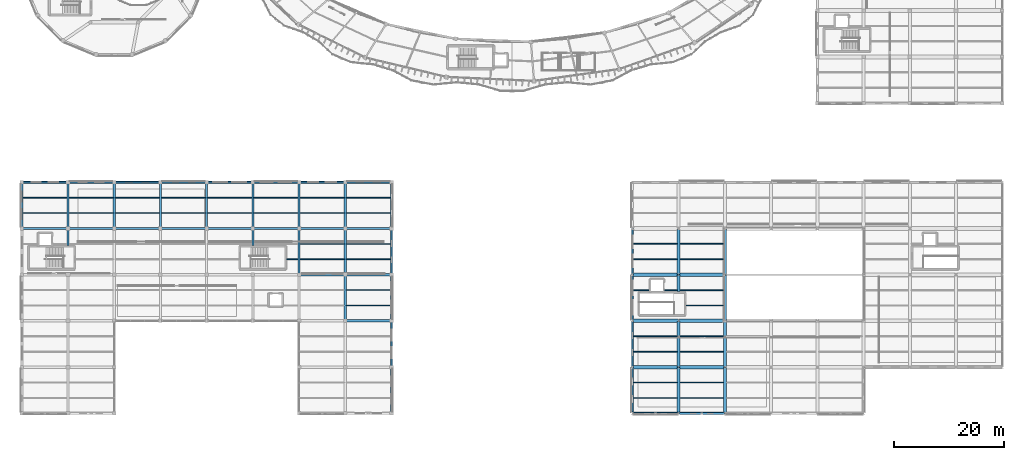
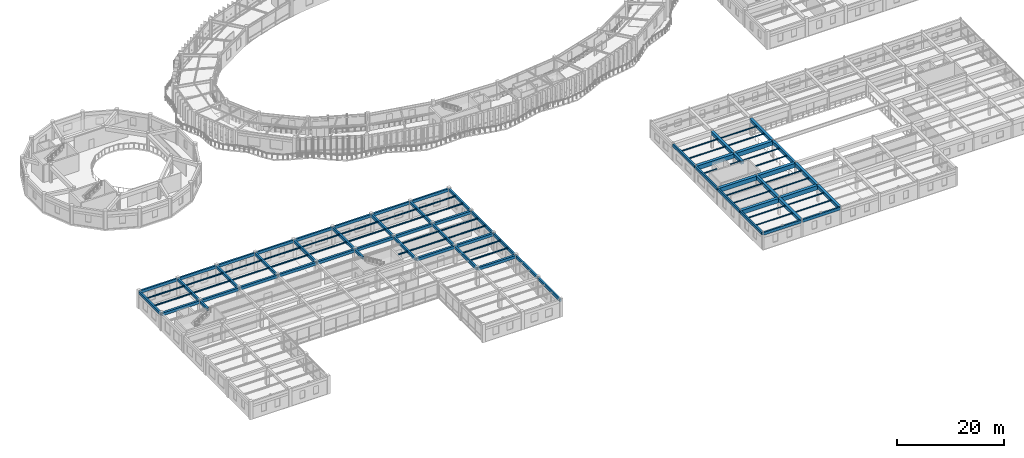
# One storey, part 24 of 138: 96 beams.
"""IFC4 building model written with IfcOpenShell, lengths in metres."""

from ifc_helpers import new_model, si_unit, direction, frame, origin, origin_2d, place, context, subcontext, project, spatial, rectangle, i_section, extrude, material, material_profile, profile_set, type_object, element, save


model = new_model("IFC4")

# Units and contexts
model_context = context("Model", 3, precision=1e-05, world=origin(), true_north=direction((0.0, 1.0)))
body_context = subcontext(model_context, "Body", "Model", "MODEL_VIEW")
ifc_project = project(units=[si_unit("LENGTHUNIT", "METRE"), si_unit("AREAUNIT", "SQUARE_METRE"), si_unit("VOLUMEUNIT", "CUBIC_METRE"), si_unit("PLANEANGLEUNIT", "RADIAN"), si_unit("MASSUNIT", "GRAM", prefix="KILO"), si_unit("THERMODYNAMICTEMPERATUREUNIT", "KELVIN"), si_unit("POWERUNIT", "WATT")], contexts=[model_context])

# Site, building, storey
site_placement = place(None, origin())
site = spatial("IfcSite", under=ifc_project, at=site_placement, CompositionType="ELEMENT")
building_placement = place(site_placement, origin())
building = spatial("IfcBuilding", under=site, at=building_placement, Name="Darbajah Civic Hall", CompositionType="ELEMENT")
storey_placement = place(building_placement, frame((0.0, 0.0, 9.60009765625)))
storey = spatial("IfcBuildingStorey", under=building, at=storey_placement, Name="L02", CompositionType="ELEMENT", Elevation=9.60009765625)

# Beams
ifc_material_1 = material(Name="Concrete C45/55", Category="concrete")
ifc_material_profile_1 = material_profile(ifc_material_1, rectangle(XDim=0.39990234375, YDim=0.60009765625, at=origin_2d()), Name="RC BEAM 400x600")
ifc_profile_set_1 = profile_set([ifc_material_profile_1], Name="Concrete C45/55")
beam_type_1 = type_object("IfcBeamType", Name="RC BEAM 400x600", PredefinedType="BEAM", material=ifc_profile_set_1)
beam_1_placement = place(storey_placement, frame((8.39990234375, 30.5400390625, 3.639892578125), z_axis=(0.0, 1.0, 0.0), x_axis=(-1.0, 0.0, 0.0)))
element("IfcBeam", 1, at=beam_1_placement, inside=storey, type_object=beam_type_1, Name="L02 beam BM-4060", PredefinedType="BEAM", context=body_context, shape_type="SweptSolid", body=[
    extrude(rectangle(XDim=0.39990234375, YDim=0.60009765625, at=origin_2d()), origin(), (0.0, 0.0, 1.0), 2.97998046875),
])
for number, where, z_axis, x_axis, name in (
    (2, (8.39990234375, 33.679931640625, 3.639892578125), (0.0, 1.0, 0.0), (-1.0, 0.0, 0.0), "L02 beam BM-4060"),
    (3, (16.800048828125, 33.679931640625, 3.639892578125), (0.0, 1.0, 0.0), (-1.0, 0.0, 0.0), "L02 beam BM-4060"),
    (4, (25.199951171875, 33.679931640625, 3.639892578125), (0.0, 1.0, 0.0), (-1.0, 0.0, 0.0), "L02 beam BM-4060"),
    (5, (33.60009765625, 33.679931640625, 3.639892578125), (0.0, 1.0, 0.0), (-1.0, 0.0, 0.0), "L02 beam BM-4060"),
):
    element("IfcBeam", number, at=place(storey_placement, frame(where, z_axis=z_axis, x_axis=x_axis)), inside=storey, type_object=beam_type_1, Name=name, PredefinedType="BEAM", context=body_context, shape_type="SweptSolid", body=[
        extrude(rectangle(XDim=0.39990234375, YDim=0.60009765625, at=origin_2d()), origin(), (0.0, 0.0, 1.0), 8.239990234375),
    ])
beam_2_placement = place(storey_placement, frame((42.0, 30.5400390625, 3.639892578125), z_axis=(0.0, 1.0, 0.0), x_axis=(-1.0, 0.0, 0.0)))
element("IfcBeam", 6, at=beam_2_placement, inside=storey, type_object=beam_type_1, Name="L02 beam BM-4060", PredefinedType="BEAM", context=body_context, shape_type="SweptSolid", body=[
    extrude(rectangle(XDim=0.39990234375, YDim=0.60009765625, at=origin_2d()), origin(), (0.0, 0.0, 1.0), 2.97998046875),
])
for number, where, z_axis, x_axis, name in (
    (7, (42.0, 33.679931640625, 3.639892578125), (0.0, 1.0, 0.0), (-1.0, 0.0, 0.0), "L02 beam BM-4060"),
    (8, (50.39990234375, 25.280029296875, 3.639892578125), (0.0, 1.0, 0.0), (-1.0, 0.0, 0.0), "L02 beam BM-4060"),
    (9, (50.39990234375, 33.679931640625, 3.639892578125), (0.0, 1.0, 0.0), (-1.0, 0.0, 0.0), "L02 beam BM-4060"),
):
    element("IfcBeam", number, at=place(storey_placement, frame(where, z_axis=z_axis, x_axis=x_axis)), inside=storey, type_object=beam_type_1, Name=name, PredefinedType="BEAM", context=body_context, shape_type="SweptSolid", body=[
        extrude(rectangle(XDim=0.39990234375, YDim=0.60009765625, at=origin_2d()), origin(), (0.0, 0.0, 1.0), 8.239990234375),
    ])
beam_3_placement = place(storey_placement, frame((58.800048828125, 16.8798828125, 3.639892578125), z_axis=(0.0, 1.0, 0.0), x_axis=(-1.0, 0.0, 0.0)))
element("IfcBeam", 10, at=beam_3_placement, inside=storey, type_object=beam_type_1, Name="L02 beam BM-4060", PredefinedType="BEAM", context=body_context, shape_type="SweptSolid", body=[
    extrude(rectangle(XDim=0.39990234375, YDim=0.60009765625, at=origin_2d()), origin(), (0.0, 0.0, 1.0), 8.240234375),
])
for number, where, z_axis, x_axis, name in (
    (11, (58.800048828125, 25.280029296875, 3.639892578125), (0.0, 1.0, 0.0), (-1.0, 0.0, 0.0), "L02 beam BM-4060"),
    (12, (58.800048828125, 33.679931640625, 3.639892578125), (0.0, 1.0, 0.0), (-1.0, 0.0, 0.0), "L02 beam BM-4060"),
):
    element("IfcBeam", number, at=place(storey_placement, frame(where, z_axis=z_axis, x_axis=x_axis)), inside=storey, type_object=beam_type_1, Name=name, PredefinedType="BEAM", context=body_context, shape_type="SweptSolid", body=[
        extrude(rectangle(XDim=0.39990234375, YDim=0.60009765625, at=origin_2d()), origin(), (0.0, 0.0, 1.0), 8.239990234375),
    ])
ifc_material_profile_2 = material_profile(ifc_material_1, rectangle(XDim=0.449951171875, YDim=0.64990234375, at=origin_2d()), Name="RC BEAM 450x650")
ifc_profile_set_2 = profile_set([ifc_material_profile_2], Name="Concrete C45/55")
beam_type_2 = type_object("IfcBeamType", Name="RC BEAM 450x650", PredefinedType="BEAM", material=ifc_profile_set_2)
beam_4_placement = place(storey_placement, frame((58.8798828125, 16.800048828125, 3.614990234375), z_axis=(1.0, 0.0, 0.0), x_axis=(0.0, 1.0, 0.0)))
element("IfcBeam", 13, at=beam_4_placement, inside=storey, type_object=beam_type_2, Name="L02 beam BM-4565", PredefinedType="BEAM", context=body_context, shape_type="SweptSolid", body=[
    extrude(rectangle(XDim=0.449951171875, YDim=0.64990234375, at=origin_2d()), origin(), (0.0, 0.0, 1.0), 8.240234375),
])
beam_5_placement = place(storey_placement, frame((50.47998046875, 25.199951171875, 3.614990234375), z_axis=(1.0, 0.0, 0.0), x_axis=(0.0, 1.0, 0.0)))
element("IfcBeam", 14, at=beam_5_placement, inside=storey, type_object=beam_type_2, Name="L02 beam BM-4565", PredefinedType="BEAM", context=body_context, shape_type="SweptSolid", body=[
    extrude(rectangle(XDim=0.449951171875, YDim=0.64990234375, at=origin_2d()), origin(), (0.0, 0.0, 1.0), 8.239990234375),
])
beam_6_placement = place(storey_placement, frame((58.8798828125, 25.199951171875, 3.614990234375), z_axis=(1.0, 0.0, 0.0), x_axis=(0.0, 1.0, 0.0)))
element("IfcBeam", 15, at=beam_6_placement, inside=storey, type_object=beam_type_2, Name="L02 beam BM-4565", PredefinedType="BEAM", context=body_context, shape_type="SweptSolid", body=[
    extrude(rectangle(XDim=0.449951171875, YDim=0.64990234375, at=origin_2d()), origin(), (0.0, 0.0, 1.0), 8.240234375),
])
for number, where, z_axis, x_axis, name in (
    (16, (0.080078125, 33.60009765625, 3.614990234375), (1.0, 0.0, 0.0), (0.0, 1.0, 0.0), "L02 beam BM-4565"),
    (17, (8.47998046875, 33.60009765625, 3.614990234375), (1.0, 0.0, 0.0), (0.0, 1.0, 0.0), "L02 beam BM-4565"),
):
    element("IfcBeam", number, at=place(storey_placement, frame(where, z_axis=z_axis, x_axis=x_axis)), inside=storey, type_object=beam_type_2, Name=name, PredefinedType="BEAM", context=body_context, shape_type="SweptSolid", body=[
        extrude(rectangle(XDim=0.449951171875, YDim=0.64990234375, at=origin_2d()), origin(), (0.0, 0.0, 1.0), 8.239990234375),
    ])
beam_7_placement = place(storey_placement, frame((16.8798828125, 33.60009765625, 3.614990234375), z_axis=(1.0, 0.0, 0.0), x_axis=(0.0, 1.0, 0.0)))
element("IfcBeam", 18, at=beam_7_placement, inside=storey, type_object=beam_type_2, Name="L02 beam BM-4565", PredefinedType="BEAM", context=body_context, shape_type="SweptSolid", body=[
    extrude(rectangle(XDim=0.449951171875, YDim=0.64990234375, at=origin_2d()), origin(), (0.0, 0.0, 1.0), 8.240234375),
])
for number, where, z_axis, x_axis, name in (
    (19, (25.280029296875, 33.60009765625, 3.614990234375), (1.0, 0.0, 0.0), (0.0, 1.0, 0.0), "L02 beam BM-4565"),
    (20, (33.679931640625, 33.60009765625, 3.614990234375), (1.0, 0.0, 0.0), (0.0, 1.0, 0.0), "L02 beam BM-4565"),
    (21, (42.080078125, 33.60009765625, 3.614990234375), (1.0, 0.0, 0.0), (0.0, 1.0, 0.0), "L02 beam BM-4565"),
    (22, (50.47998046875, 33.60009765625, 3.614990234375), (1.0, 0.0, 0.0), (0.0, 1.0, 0.0), "L02 beam BM-4565"),
):
    element("IfcBeam", number, at=place(storey_placement, frame(where, z_axis=z_axis, x_axis=x_axis)), inside=storey, type_object=beam_type_2, Name=name, PredefinedType="BEAM", context=body_context, shape_type="SweptSolid", body=[
        extrude(rectangle(XDim=0.449951171875, YDim=0.64990234375, at=origin_2d()), origin(), (0.0, 0.0, 1.0), 8.239990234375),
    ])
beam_8_placement = place(storey_placement, frame((58.8798828125, 33.60009765625, 3.614990234375), z_axis=(1.0, 0.0, 0.0), x_axis=(0.0, 1.0, 0.0)))
element("IfcBeam", 23, at=beam_8_placement, inside=storey, type_object=beam_type_2, Name="L02 beam BM-4565", PredefinedType="BEAM", context=body_context, shape_type="SweptSolid", body=[
    extrude(rectangle(XDim=0.449951171875, YDim=0.64990234375, at=origin_2d()), origin(), (0.0, 0.0, 1.0), 8.240234375),
])
ifc_material_profile_3 = material_profile(ifc_material_1, rectangle(XDim=0.550048828125, YDim=0.75, at=origin_2d()), Name="RC BEAM 550x750")
ifc_profile_set_3 = profile_set([ifc_material_profile_3], Name="Concrete C45/55")
beam_type_3 = type_object("IfcBeamType", Name="RC BEAM 550x750", PredefinedType="BEAM", material=ifc_profile_set_3)
for number, where, z_axis, x_axis, name in (
    (24, (119.39990234375, 0.080078125, 3.544921875), (0.0, 1.0, 0.0), (-1.0, 0.0, 0.0), "L02 beam BM-5575"),
    (25, (119.39990234375, 8.47998046875, 3.544921875), (0.0, 1.0, 0.0), (-1.0, 0.0, 0.0), "L02 beam BM-5575"),
):
    element("IfcBeam", number, at=place(storey_placement, frame(where, z_axis=z_axis, x_axis=x_axis)), inside=storey, type_object=beam_type_3, Name=name, PredefinedType="BEAM", context=body_context, shape_type="SweptSolid", body=[
        extrude(rectangle(XDim=0.550048828125, YDim=0.75, at=origin_2d()), origin(), (0.0, 0.0, 1.0), 8.239990234375),
    ])
beam_9_placement = place(storey_placement, frame((119.39990234375, 22.139892578125, 3.544921875), z_axis=(0.0, 1.0, 0.0), x_axis=(-1.0, 0.0, 0.0)))
element("IfcBeam", 26, at=beam_9_placement, inside=storey, type_object=beam_type_3, Name="L02 beam BM-5575", PredefinedType="BEAM", context=body_context, shape_type="SweptSolid", body=[
    extrude(rectangle(XDim=0.550048828125, YDim=0.75, at=origin_2d()), origin(), (0.0, 0.0, 1.0), 2.980224609375),
])
for number, where, z_axis, x_axis, name in (
    (27, (119.39990234375, 25.280029296875, 3.544921875), (0.0, 1.0, 0.0), (-1.0, 0.0, 0.0), "L02 beam BM-5575"),
    (28, (127.800048828125, 0.080078125, 3.544921875), (0.0, 1.0, 0.0), (-1.0, 0.0, 0.0), "L02 beam BM-5575"),
    (29, (127.800048828125, 8.47998046875, 3.544921875), (0.0, 1.0, 0.0), (-1.0, 0.0, 0.0), "L02 beam BM-5575"),
):
    element("IfcBeam", number, at=place(storey_placement, frame(where, z_axis=z_axis, x_axis=x_axis)), inside=storey, type_object=beam_type_3, Name=name, PredefinedType="BEAM", context=body_context, shape_type="SweptSolid", body=[
        extrude(rectangle(XDim=0.550048828125, YDim=0.75, at=origin_2d()), origin(), (0.0, 0.0, 1.0), 8.239990234375),
    ])
beam_10_placement = place(storey_placement, frame((127.800048828125, 16.8798828125, 3.544921875), z_axis=(0.0, 1.0, 0.0), x_axis=(-1.0, 0.0, 0.0)))
element("IfcBeam", 30, at=beam_10_placement, inside=storey, type_object=beam_type_3, Name="L02 beam BM-5575", PredefinedType="BEAM", context=body_context, shape_type="SweptSolid", body=[
    extrude(rectangle(XDim=0.550048828125, YDim=0.75, at=origin_2d()), origin(), (0.0, 0.0, 1.0), 8.240234375),
])
beam_11_placement = place(storey_placement, frame((127.800048828125, 25.280029296875, 3.544921875), z_axis=(0.0, 1.0, 0.0), x_axis=(-1.0, 0.0, 0.0)))
element("IfcBeam", 31, at=beam_11_placement, inside=storey, type_object=beam_type_3, Name="L02 beam BM-5575", PredefinedType="BEAM", context=body_context, shape_type="SweptSolid", body=[
    extrude(rectangle(XDim=0.550048828125, YDim=0.75, at=origin_2d()), origin(), (0.0, 0.0, 1.0), 8.239990234375),
])
ifc_material_2 = material(Name="Concrete C50/60", Category="concrete")
ifc_material_profile_4 = material_profile(ifc_material_2, rectangle(XDim=0.64990234375, YDim=0.949951171875, at=origin_2d()), Name="RC GIRDER 650x950")
ifc_profile_set_4 = profile_set([ifc_material_profile_4], Name="Concrete C50/60")
beam_type_4 = type_object("IfcBeamType", Name="RC GIRDER 650x950", PredefinedType="BEAM", material=ifc_profile_set_4)
for number, where, z_axis, x_axis, name in (
    (32, (111.080078125, 8.39990234375, 3.44482421875), (1.0, 0.0, 0.0), (0.0, 1.0, 0.0), "L02 beam BG-6595"),
    (33, (119.47998046875, 8.39990234375, 3.44482421875), (1.0, 0.0, 0.0), (0.0, 1.0, 0.0), "L02 beam BG-6595"),
    (34, (111.080078125, 16.800048828125, 3.44482421875), (1.0, 0.0, 0.0), (0.0, 1.0, 0.0), "L02 beam BG-6595"),
    (35, (119.47998046875, 16.800048828125, 3.44482421875), (1.0, 0.0, 0.0), (0.0, 1.0, 0.0), "L02 beam BG-6595"),
    (36, (111.080078125, 25.199951171875, 3.44482421875), (1.0, 0.0, 0.0), (0.0, 1.0, 0.0), "L02 beam BG-6595"),
    (37, (119.47998046875, 25.199951171875, 3.44482421875), (1.0, 0.0, 0.0), (0.0, 1.0, 0.0), "L02 beam BG-6595"),
):
    element("IfcBeam", number, at=place(storey_placement, frame(where, z_axis=z_axis, x_axis=x_axis)), inside=storey, type_object=beam_type_4, Name=name, PredefinedType="BEAM", context=body_context, shape_type="SweptSolid", body=[
        extrude(rectangle(XDim=0.64990234375, YDim=0.949951171875, at=origin_2d()), origin(), (0.0, 0.0, 1.0), 8.239990234375),
    ])
ifc_material_profile_5 = material_profile(ifc_material_1, rectangle(XDim=0.35009765625, YDim=0.64990234375, at=origin_2d()), Name="RC SPANDREL 350x650")
ifc_profile_set_5 = profile_set([ifc_material_profile_5], Name="Concrete C45/55")
beam_type_5 = type_object("IfcBeamType", Name="RC SPANDREL 350x650", PredefinedType="SPANDREL", material=ifc_profile_set_5)
for number, where, z_axis, x_axis, name in (
    (38, (111.080078125, 0.0, 3.594970703125), (1.0, 0.0, 0.0), (0.0, 1.0, 0.0), "L02 beam SP-3565"),
    (39, (119.47998046875, 0.0, 3.594970703125), (1.0, 0.0, 0.0), (0.0, 1.0, 0.0), "L02 beam SP-3565"),
    (40, (111.0, 0.080078125, 3.594970703125), (0.0, 1.0, 0.0), (-1.0, 0.0, 0.0), "L02 beam SP-3565"),
    (41, (111.0, 8.47998046875, 3.594970703125), (0.0, 1.0, 0.0), (-1.0, 0.0, 0.0), "L02 beam SP-3565"),
):
    element("IfcBeam", number, at=place(storey_placement, frame(where, z_axis=z_axis, x_axis=x_axis)), inside=storey, type_object=beam_type_5, Name=name, PredefinedType="SPANDREL", context=body_context, shape_type="SweptSolid", body=[
        extrude(rectangle(XDim=0.35009765625, YDim=0.64990234375, at=origin_2d()), origin(), (0.0, 0.0, 1.0), 8.239990234375),
    ])
beam_12_placement = place(storey_placement, frame((111.0, 16.8798828125, 3.594970703125), z_axis=(0.0, 1.0, 0.0), x_axis=(-1.0, 0.0, 0.0)))
element("IfcBeam", 42, at=beam_12_placement, inside=storey, type_object=beam_type_5, Name="L02 beam SP-3565", PredefinedType="SPANDREL", context=body_context, shape_type="SweptSolid", body=[
    extrude(rectangle(XDim=0.35009765625, YDim=0.64990234375, at=origin_2d()), origin(), (0.0, 0.0, 1.0), 8.240234375),
])
for number, where, z_axis, x_axis, name in (
    (43, (111.0, 25.280029296875, 3.594970703125), (0.0, 1.0, 0.0), (-1.0, 0.0, 0.0), "L02 beam SP-3565"),
    (44, (0.080078125, 42.0, 3.614990234375), (1.0, 0.0, 0.0), (0.0, 1.0, 0.0), "L02 beam SP-3565"),
    (45, (8.47998046875, 42.0, 3.614990234375), (1.0, 0.0, 0.0), (0.0, 1.0, 0.0), "L02 beam SP-3565"),
):
    element("IfcBeam", number, at=place(storey_placement, frame(where, z_axis=z_axis, x_axis=x_axis)), inside=storey, type_object=beam_type_5, Name=name, PredefinedType="SPANDREL", context=body_context, shape_type="SweptSolid", body=[
        extrude(rectangle(XDim=0.35009765625, YDim=0.64990234375, at=origin_2d()), origin(), (0.0, 0.0, 1.0), 8.239990234375),
    ])
beam_13_placement = place(storey_placement, frame((16.8798828125, 42.0, 3.614990234375), z_axis=(1.0, 0.0, 0.0), x_axis=(0.0, 1.0, 0.0)))
element("IfcBeam", 46, at=beam_13_placement, inside=storey, type_object=beam_type_5, Name="L02 beam SP-3565", PredefinedType="SPANDREL", context=body_context, shape_type="SweptSolid", body=[
    extrude(rectangle(XDim=0.35009765625, YDim=0.64990234375, at=origin_2d()), origin(), (0.0, 0.0, 1.0), 8.240234375),
])
for number, where, z_axis, x_axis, name in (
    (47, (25.280029296875, 42.0, 3.614990234375), (1.0, 0.0, 0.0), (0.0, 1.0, 0.0), "L02 beam SP-3565"),
    (48, (33.679931640625, 42.0, 3.614990234375), (1.0, 0.0, 0.0), (0.0, 1.0, 0.0), "L02 beam SP-3565"),
    (49, (42.080078125, 42.0, 3.614990234375), (1.0, 0.0, 0.0), (0.0, 1.0, 0.0), "L02 beam SP-3565"),
    (50, (50.47998046875, 42.0, 3.614990234375), (1.0, 0.0, 0.0), (0.0, 1.0, 0.0), "L02 beam SP-3565"),
):
    element("IfcBeam", number, at=place(storey_placement, frame(where, z_axis=z_axis, x_axis=x_axis)), inside=storey, type_object=beam_type_5, Name=name, PredefinedType="SPANDREL", context=body_context, shape_type="SweptSolid", body=[
        extrude(rectangle(XDim=0.35009765625, YDim=0.64990234375, at=origin_2d()), origin(), (0.0, 0.0, 1.0), 8.239990234375),
    ])
beam_14_placement = place(storey_placement, frame((58.8798828125, 42.0, 3.614990234375), z_axis=(1.0, 0.0, 0.0), x_axis=(0.0, 1.0, 0.0)))
element("IfcBeam", 51, at=beam_14_placement, inside=storey, type_object=beam_type_5, Name="L02 beam SP-3565", PredefinedType="SPANDREL", context=body_context, shape_type="SweptSolid", body=[
    extrude(rectangle(XDim=0.35009765625, YDim=0.64990234375, at=origin_2d()), origin(), (0.0, 0.0, 1.0), 8.240234375),
])
for number, where, z_axis, x_axis, name in (
    (52, (0.0, 33.679931640625, 3.614990234375), (0.0, 1.0, 0.0), (-1.0, 0.0, 0.0), "L02 beam SP-3565"),
    (53, (67.199951171875, 0.080078125, 3.614990234375), (0.0, 1.0, 0.0), (-1.0, 0.0, 0.0), "L02 beam SP-3565"),
    (54, (67.199951171875, 8.47998046875, 3.614990234375), (0.0, 1.0, 0.0), (-1.0, 0.0, 0.0), "L02 beam SP-3565"),
):
    element("IfcBeam", number, at=place(storey_placement, frame(where, z_axis=z_axis, x_axis=x_axis)), inside=storey, type_object=beam_type_5, Name=name, PredefinedType="SPANDREL", context=body_context, shape_type="SweptSolid", body=[
        extrude(rectangle(XDim=0.35009765625, YDim=0.64990234375, at=origin_2d()), origin(), (0.0, 0.0, 1.0), 8.239990234375),
    ])
beam_15_placement = place(storey_placement, frame((67.199951171875, 16.8798828125, 3.614990234375), z_axis=(0.0, 1.0, 0.0), x_axis=(-1.0, 0.0, 0.0)))
element("IfcBeam", 55, at=beam_15_placement, inside=storey, type_object=beam_type_5, Name="L02 beam SP-3565", PredefinedType="SPANDREL", context=body_context, shape_type="SweptSolid", body=[
    extrude(rectangle(XDim=0.35009765625, YDim=0.64990234375, at=origin_2d()), origin(), (0.0, 0.0, 1.0), 8.240234375),
])
for number, where, z_axis, x_axis, name in (
    (56, (67.199951171875, 25.280029296875, 3.614990234375), (0.0, 1.0, 0.0), (-1.0, 0.0, 0.0), "L02 beam SP-3565"),
    (57, (67.199951171875, 33.679931640625, 3.614990234375), (0.0, 1.0, 0.0), (-1.0, 0.0, 0.0), "L02 beam SP-3565"),
):
    element("IfcBeam", number, at=place(storey_placement, frame(where, z_axis=z_axis, x_axis=x_axis)), inside=storey, type_object=beam_type_5, Name=name, PredefinedType="SPANDREL", context=body_context, shape_type="SweptSolid", body=[
        extrude(rectangle(XDim=0.35009765625, YDim=0.64990234375, at=origin_2d()), origin(), (0.0, 0.0, 1.0), 8.239990234375),
    ])
ifc_material_3 = material(Name="Steel S355JR", Category="steel")
ifc_material_profile_6 = material_profile(ifc_material_3, i_section(OverallWidth=0.1337890625, OverallDepth=0.206787109375, WebThickness=0.00634765625, FlangeThickness=0.009521484375, FilletRadius=0.007568359375, at=origin_2d()), Name="UB 203x133x30")
ifc_profile_set_6 = profile_set([ifc_material_profile_6], Name="Steel S355JR")
beam_type_6 = type_object("IfcBeamType", Name="UB 203x133x30", PredefinedType="JOIST", material=ifc_profile_set_6)
for number, where, z_axis, x_axis, name in (
    (58, (0.175048828125, 36.39990234375, 3.83642578125), (1.0, 0.0, 0.0), (0.0, 1.0, 0.0), "L02 beam SJ-203"),
    (59, (0.175048828125, 39.199951171875, 3.83642578125), (1.0, 0.0, 0.0), (0.0, 1.0, 0.0), "L02 beam SJ-203"),
):
    element("IfcBeam", number, at=place(storey_placement, frame(where, z_axis=z_axis, x_axis=x_axis)), inside=storey, type_object=beam_type_6, Name=name, PredefinedType="JOIST", context=body_context, shape_type="SweptSolid", body=[
        extrude(i_section(OverallWidth=0.1337890625, OverallDepth=0.206787109375, WebThickness=0.00634765625, FlangeThickness=0.009521484375, FilletRadius=0.007568359375, at=origin_2d()), origin(), (0.0, 0.0, 1.0), 8.02490234375),
    ])
for number, where, z_axis, x_axis, name in (
    (60, (8.60009765625, 36.39990234375, 3.83642578125), (1.0, 0.0, 0.0), (0.0, 1.0, 0.0), "L02 beam SJ-203"),
    (61, (8.60009765625, 39.199951171875, 3.83642578125), (1.0, 0.0, 0.0), (0.0, 1.0, 0.0), "L02 beam SJ-203"),
    (62, (17.0, 36.39990234375, 3.83642578125), (1.0, 0.0, 0.0), (0.0, 1.0, 0.0), "L02 beam SJ-203"),
    (63, (17.0, 39.199951171875, 3.83642578125), (1.0, 0.0, 0.0), (0.0, 1.0, 0.0), "L02 beam SJ-203"),
    (64, (25.39990234375, 36.39990234375, 3.83642578125), (1.0, 0.0, 0.0), (0.0, 1.0, 0.0), "L02 beam SJ-203"),
    (65, (25.39990234375, 39.199951171875, 3.83642578125), (1.0, 0.0, 0.0), (0.0, 1.0, 0.0), "L02 beam SJ-203"),
    (66, (33.800048828125, 36.39990234375, 3.83642578125), (1.0, 0.0, 0.0), (0.0, 1.0, 0.0), "L02 beam SJ-203"),
    (67, (33.800048828125, 39.199951171875, 3.83642578125), (1.0, 0.0, 0.0), (0.0, 1.0, 0.0), "L02 beam SJ-203"),
):
    element("IfcBeam", number, at=place(storey_placement, frame(where, z_axis=z_axis, x_axis=x_axis)), inside=storey, type_object=beam_type_6, Name=name, PredefinedType="JOIST", context=body_context, shape_type="SweptSolid", body=[
        extrude(i_section(OverallWidth=0.1337890625, OverallDepth=0.206787109375, WebThickness=0.00634765625, FlangeThickness=0.009521484375, FilletRadius=0.007568359375, at=origin_2d()), origin(), (0.0, 0.0, 1.0), 8.0),
    ])
beam_16_placement = place(storey_placement, frame((48.139892578125, 28.0, 3.83642578125), z_axis=(1.0, 0.0, 0.0), x_axis=(0.0, 1.0, 0.0)))
element("IfcBeam", 68, at=beam_16_placement, inside=storey, type_object=beam_type_6, Name="L02 beam SJ-203", PredefinedType="JOIST", context=body_context, shape_type="SweptSolid", body=[
    extrude(i_section(OverallWidth=0.1337890625, OverallDepth=0.206787109375, WebThickness=0.00634765625, FlangeThickness=0.009521484375, FilletRadius=0.007568359375, at=origin_2d()), origin(), (0.0, 0.0, 1.0), 2.06005859375),
])
for number, where, z_axis, x_axis, name in (
    (69, (42.199951171875, 36.39990234375, 3.83642578125), (1.0, 0.0, 0.0), (0.0, 1.0, 0.0), "L02 beam SJ-203"),
    (70, (42.199951171875, 39.199951171875, 3.83642578125), (1.0, 0.0, 0.0), (0.0, 1.0, 0.0), "L02 beam SJ-203"),
    (71, (50.60009765625, 28.0, 3.83642578125), (1.0, 0.0, 0.0), (0.0, 1.0, 0.0), "L02 beam SJ-203"),
    (72, (50.60009765625, 30.800048828125, 3.83642578125), (1.0, 0.0, 0.0), (0.0, 1.0, 0.0), "L02 beam SJ-203"),
    (73, (50.60009765625, 36.39990234375, 3.83642578125), (1.0, 0.0, 0.0), (0.0, 1.0, 0.0), "L02 beam SJ-203"),
    (74, (50.60009765625, 39.199951171875, 3.83642578125), (1.0, 0.0, 0.0), (0.0, 1.0, 0.0), "L02 beam SJ-203"),
):
    element("IfcBeam", number, at=place(storey_placement, frame(where, z_axis=z_axis, x_axis=x_axis)), inside=storey, type_object=beam_type_6, Name=name, PredefinedType="JOIST", context=body_context, shape_type="SweptSolid", body=[
        extrude(i_section(OverallWidth=0.1337890625, OverallDepth=0.206787109375, WebThickness=0.00634765625, FlangeThickness=0.009521484375, FilletRadius=0.007568359375, at=origin_2d()), origin(), (0.0, 0.0, 1.0), 8.0),
    ])
for number, where, z_axis, x_axis, name in (
    (75, (59.0, 19.60009765625, 3.83642578125), (1.0, 0.0, 0.0), (0.0, 1.0, 0.0), "L02 beam SJ-203"),
    (76, (59.0, 22.39990234375, 3.83642578125), (1.0, 0.0, 0.0), (0.0, 1.0, 0.0), "L02 beam SJ-203"),
    (77, (59.0, 28.0, 3.83642578125), (1.0, 0.0, 0.0), (0.0, 1.0, 0.0), "L02 beam SJ-203"),
    (78, (59.0, 30.800048828125, 3.83642578125), (1.0, 0.0, 0.0), (0.0, 1.0, 0.0), "L02 beam SJ-203"),
    (79, (59.0, 36.39990234375, 3.83642578125), (1.0, 0.0, 0.0), (0.0, 1.0, 0.0), "L02 beam SJ-203"),
    (80, (59.0, 39.199951171875, 3.83642578125), (1.0, 0.0, 0.0), (0.0, 1.0, 0.0), "L02 beam SJ-203"),
):
    element("IfcBeam", number, at=place(storey_placement, frame(where, z_axis=z_axis, x_axis=x_axis)), inside=storey, type_object=beam_type_6, Name=name, PredefinedType="JOIST", context=body_context, shape_type="SweptSolid", body=[
        extrude(i_section(OverallWidth=0.1337890625, OverallDepth=0.206787109375, WebThickness=0.00634765625, FlangeThickness=0.009521484375, FilletRadius=0.007568359375, at=origin_2d()), origin(), (0.0, 0.0, 1.0), 8.02490234375),
    ])
ifc_material_profile_7 = material_profile(ifc_material_3, i_section(OverallWidth=0.146484375, OverallDepth=0.256103515625, WebThickness=0.00634765625, FlangeThickness=0.010986328125, FilletRadius=0.007568359375, at=origin_2d()), Name="UB 254x146x37")
ifc_profile_set_7 = profile_set([ifc_material_profile_7], Name="Steel S355JR")
beam_type_7 = type_object("IfcBeamType", Name="UB 254x146x37", PredefinedType="JOIST", material=ifc_profile_set_7)
for number, where, z_axis, x_axis, name in (
    (81, (111.175048828125, 2.800048828125, 3.7919921875), (1.0, 0.0, 0.0), (0.0, 1.0, 0.0), "L02 beam SJ-254"),
    (82, (111.175048828125, 5.60009765625, 3.7919921875), (1.0, 0.0, 0.0), (0.0, 1.0, 0.0), "L02 beam SJ-254"),
    (83, (111.175048828125, 11.199951171875, 3.7919921875), (1.0, 0.0, 0.0), (0.0, 1.0, 0.0), "L02 beam SJ-254"),
    (84, (111.175048828125, 14.0, 3.7919921875), (1.0, 0.0, 0.0), (0.0, 1.0, 0.0), "L02 beam SJ-254"),
):
    element("IfcBeam", number, at=place(storey_placement, frame(where, z_axis=z_axis, x_axis=x_axis)), inside=storey, type_object=beam_type_7, Name=name, PredefinedType="JOIST", context=body_context, shape_type="SweptSolid", body=[
        extrude(i_section(OverallWidth=0.146484375, OverallDepth=0.256103515625, WebThickness=0.00634765625, FlangeThickness=0.010986328125, FilletRadius=0.007568359375, at=origin_2d()), origin(), (0.0, 0.0, 1.0), 7.949951171875),
    ])
beam_17_placement = place(storey_placement, frame((111.175048828125, 22.39990234375, 3.7919921875), z_axis=(1.0, 0.0, 0.0), x_axis=(0.0, 1.0, 0.0)))
element("IfcBeam", 85, at=beam_17_placement, inside=storey, type_object=beam_type_7, Name="L02 beam SJ-254", PredefinedType="JOIST", context=body_context, shape_type="SweptSolid", body=[
    extrude(i_section(OverallWidth=0.146484375, OverallDepth=0.256103515625, WebThickness=0.00634765625, FlangeThickness=0.010986328125, FilletRadius=0.007568359375, at=origin_2d()), origin(), (0.0, 0.0, 1.0), 2.905029296875),
])
beam_18_placement = place(storey_placement, frame((116.820068359375, 22.39990234375, 3.7919921875), z_axis=(1.0, 0.0, 0.0), x_axis=(0.0, 1.0, 0.0)))
element("IfcBeam", 86, at=beam_18_placement, inside=storey, type_object=beam_type_7, Name="L02 beam SJ-254", PredefinedType="JOIST", context=body_context, shape_type="SweptSolid", body=[
    extrude(i_section(OverallWidth=0.146484375, OverallDepth=0.256103515625, WebThickness=0.00634765625, FlangeThickness=0.010986328125, FilletRadius=0.007568359375, at=origin_2d()), origin(), (0.0, 0.0, 1.0), 2.304931640625),
])
for number, where, z_axis, x_axis, name in (
    (87, (111.175048828125, 28.0, 3.7919921875), (1.0, 0.0, 0.0), (0.0, 1.0, 0.0), "L02 beam SJ-254"),
    (88, (111.175048828125, 30.800048828125, 3.7919921875), (1.0, 0.0, 0.0), (0.0, 1.0, 0.0), "L02 beam SJ-254"),
):
    element("IfcBeam", number, at=place(storey_placement, frame(where, z_axis=z_axis, x_axis=x_axis)), inside=storey, type_object=beam_type_7, Name=name, PredefinedType="JOIST", context=body_context, shape_type="SweptSolid", body=[
        extrude(i_section(OverallWidth=0.146484375, OverallDepth=0.256103515625, WebThickness=0.00634765625, FlangeThickness=0.010986328125, FilletRadius=0.007568359375, at=origin_2d()), origin(), (0.0, 0.0, 1.0), 7.949951171875),
    ])
for number, where, z_axis, x_axis, name in (
    (89, (119.675048828125, 2.800048828125, 3.7919921875), (1.0, 0.0, 0.0), (0.0, 1.0, 0.0), "L02 beam SJ-254"),
    (90, (119.675048828125, 5.60009765625, 3.7919921875), (1.0, 0.0, 0.0), (0.0, 1.0, 0.0), "L02 beam SJ-254"),
    (91, (119.675048828125, 11.199951171875, 3.7919921875), (1.0, 0.0, 0.0), (0.0, 1.0, 0.0), "L02 beam SJ-254"),
    (92, (119.675048828125, 14.0, 3.7919921875), (1.0, 0.0, 0.0), (0.0, 1.0, 0.0), "L02 beam SJ-254"),
):
    element("IfcBeam", number, at=place(storey_placement, frame(where, z_axis=z_axis, x_axis=x_axis)), inside=storey, type_object=beam_type_7, Name=name, PredefinedType="JOIST", context=body_context, shape_type="SweptSolid", body=[
        extrude(i_section(OverallWidth=0.146484375, OverallDepth=0.256103515625, WebThickness=0.00634765625, FlangeThickness=0.010986328125, FilletRadius=0.007568359375, at=origin_2d()), origin(), (0.0, 0.0, 1.0), 7.849853515625),
    ])
beam_19_placement = place(storey_placement, frame((120.739990234375, 19.60009765625, 3.7919921875), z_axis=(1.0, 0.0, 0.0), x_axis=(0.0, 1.0, 0.0)))
element("IfcBeam", 93, at=beam_19_placement, inside=storey, type_object=beam_type_7, Name="L02 beam SJ-254", PredefinedType="JOIST", context=body_context, shape_type="SweptSolid", body=[
    extrude(i_section(OverallWidth=0.146484375, OverallDepth=0.256103515625, WebThickness=0.00634765625, FlangeThickness=0.010986328125, FilletRadius=0.007568359375, at=origin_2d()), origin(), (0.0, 0.0, 1.0), 6.784912109375),
])
for number, where, z_axis, x_axis, name in (
    (94, (119.675048828125, 22.39990234375, 3.7919921875), (1.0, 0.0, 0.0), (0.0, 1.0, 0.0), "L02 beam SJ-254"),
    (95, (119.675048828125, 28.0, 3.7919921875), (1.0, 0.0, 0.0), (0.0, 1.0, 0.0), "L02 beam SJ-254"),
    (96, (119.675048828125, 30.800048828125, 3.7919921875), (1.0, 0.0, 0.0), (0.0, 1.0, 0.0), "L02 beam SJ-254"),
):
    element("IfcBeam", number, at=place(storey_placement, frame(where, z_axis=z_axis, x_axis=x_axis)), inside=storey, type_object=beam_type_7, Name=name, PredefinedType="JOIST", context=body_context, shape_type="SweptSolid", body=[
        extrude(i_section(OverallWidth=0.146484375, OverallDepth=0.256103515625, WebThickness=0.00634765625, FlangeThickness=0.010986328125, FilletRadius=0.007568359375, at=origin_2d()), origin(), (0.0, 0.0, 1.0), 7.849853515625),
    ])

save(model, "model.ifc")
